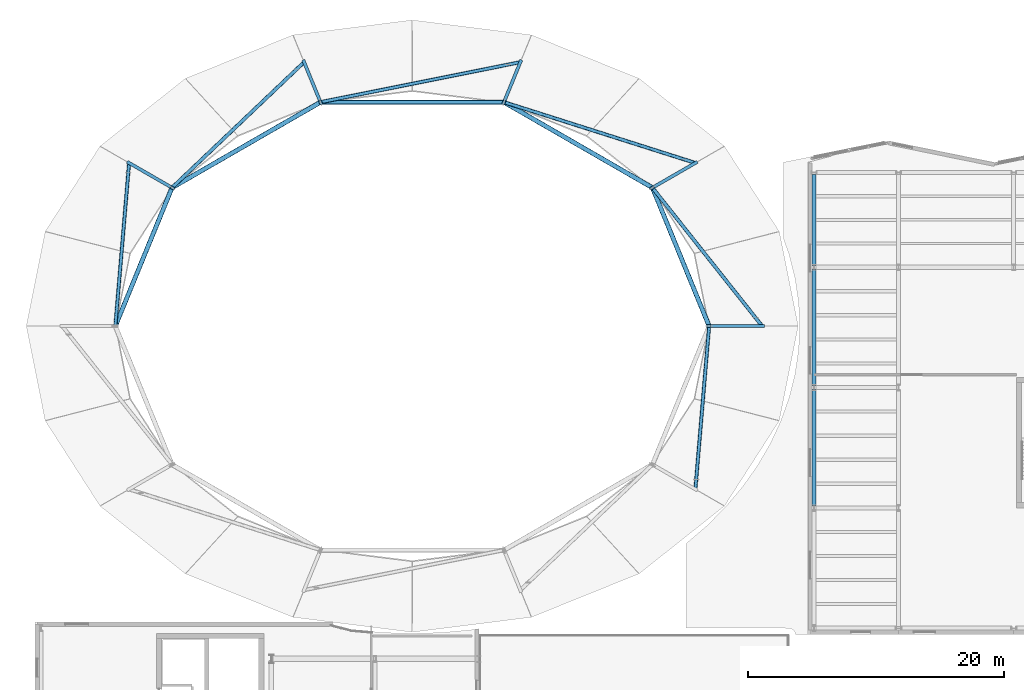
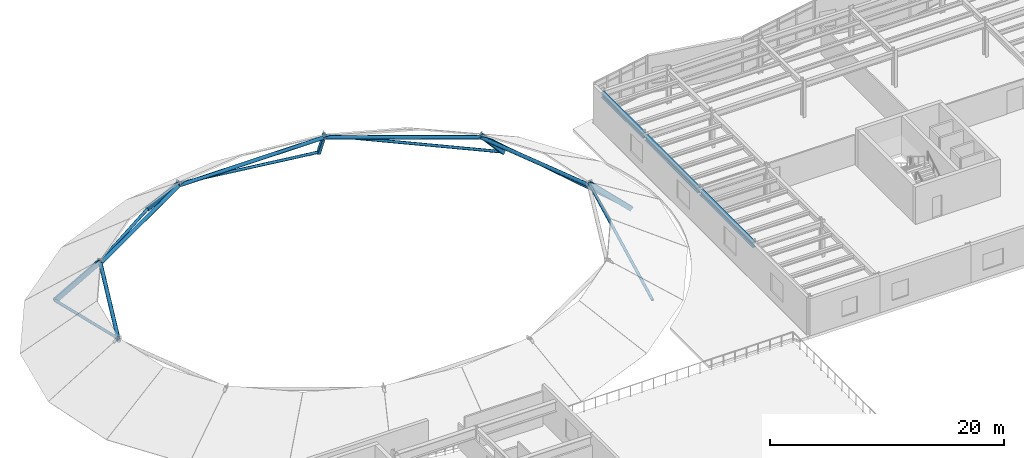
# One storey, part 15 of 59: 16 members, 3 beams.
"""IFC4 building model written with IfcOpenShell, lengths in metres."""

from ifc_helpers import new_model, si_unit, direction, frame, origin, origin_2d, place, context, subcontext, project, spatial, hollow_rectangle, hollow_circle, i_section, extrude, material, material_profile, profile_set, type_object, element, save


model = new_model("IFC4")

# Units and contexts
model_context = context("Model", 3, precision=1e-05, world=origin(), true_north=direction((0.0, 1.0)))
body_context = subcontext(model_context, "Body", "Model", "MODEL_VIEW")
ifc_project = project(units=[si_unit("LENGTHUNIT", "METRE"), si_unit("AREAUNIT", "SQUARE_METRE"), si_unit("VOLUMEUNIT", "CUBIC_METRE"), si_unit("PLANEANGLEUNIT", "RADIAN"), si_unit("MASSUNIT", "GRAM", prefix="KILO")], contexts=[model_context])

# Site, building, storey
site_placement = place(None, origin())
site = spatial("IfcSite", under=ifc_project, at=site_placement, CompositionType="ELEMENT")
building_placement = place(site_placement, origin())
building = spatial("IfcBuilding", under=site, at=building_placement, Name="Sollismere Congress Hotel", CompositionType="ELEMENT")
storey_placement = place(building_placement, frame((0.0, 0.0, 15.60009765625)))
storey = spatial("IfcBuildingStorey", under=building, at=storey_placement, Name="L03", CompositionType="ELEMENT", Elevation=15.60009765625)

# Beams
ifc_material_1 = material(Name="Steel ASTM A992 Grade 50", Category="steel")
ifc_material_profile_1 = material_profile(ifc_material_1, i_section(OverallWidth=0.31494140625, OverallDepth=0.551025390625, WebThickness=0.01513671875, FlangeThickness=0.0244140625, at=origin_2d()), Name="W21X122")
ifc_profile_set_1 = profile_set([ifc_material_profile_1], Name="Steel ASTM A992 Grade 50")
beam_type = type_object("IfcBeamType", Name="BM-G21H", PredefinedType="BEAM", material=ifc_profile_set_1)
beam_1_placement = place(storey_placement, frame((60.39990234375, 76.340087890625, 3.349365234375), z_axis=(0.0, 1.0, 0.0), x_axis=(-1.0, 0.0, 0.0)))
element("IfcBeam", 1, at=beam_1_placement, inside=storey, type_object=beam_type, Name="Beam BM-L03-2424", PredefinedType="BEAM", context=body_context, shape_type="SweptSolid", body=[
    extrude(i_section(OverallWidth=0.31494140625, OverallDepth=0.551025390625, WebThickness=0.01513671875, FlangeThickness=0.0244140625, at=origin_2d()), origin(), (0.0, 0.0, 1.0), 9.119873046875),
])
beam_2_placement = place(storey_placement, frame((60.39990234375, 85.739990234375, 3.349365234375), z_axis=(0.0, 1.0, 0.0), x_axis=(-1.0, 0.0, 0.0)))
element("IfcBeam", 2, at=beam_2_placement, inside=storey, type_object=beam_type, Name="Beam BM-L03-2425", PredefinedType="BEAM", context=body_context, shape_type="SweptSolid", body=[
    extrude(i_section(OverallWidth=0.31494140625, OverallDepth=0.551025390625, WebThickness=0.01513671875, FlangeThickness=0.0244140625, at=origin_2d()), origin(), (0.0, 0.0, 1.0), 9.1201171875),
])
beam_3_placement = place(storey_placement, frame((60.39990234375, 95.139892578125, 3.349365234375), z_axis=(0.0, 1.0, 0.0), x_axis=(-1.0, 0.0, 0.0)))
element("IfcBeam", 3, at=beam_3_placement, inside=storey, type_object=beam_type, Name="Beam BM-L03-2426", PredefinedType="BEAM", context=body_context, shape_type="SweptSolid", body=[
    extrude(i_section(OverallWidth=0.31494140625, OverallDepth=0.551025390625, WebThickness=0.01513671875, FlangeThickness=0.0244140625, at=origin_2d()), origin(), (0.0, 0.0, 1.0), 7.1201171875),
])

# Members
ifc_material_2 = material(Name="Steel ASTM A500 Grade C", Category="steel")
ifc_material_profile_2 = material_profile(ifc_material_2, hollow_rectangle(XDim=0.25, YDim=0.449951171875, WallThickness=0.01611328125, at=origin_2d()), Name="HSS450X250X16")
ifc_profile_set_2 = profile_set([ifc_material_profile_2], Name="Steel ASTM A500 Grade C")
member_type_1 = type_object("IfcMemberType", Name="MB-AR450", PredefinedType="COLLAR", material=ifc_profile_set_2)
member_1_placement = place(storey_placement, frame((56.361083984375, 90.39990234375, 0.005859375), z_axis=(-0.711128730014, 0.0, 0.703061824699), x_axis=(0.0, -1.0, 0.0)))
element("IfcMember", 4, at=member_1_placement, inside=storey, type_object=member_type_1, Name="DR-011 arch rib", PredefinedType="COLLAR", context=body_context, shape_type="SweptSolid", body=[
    extrude(hollow_rectangle(XDim=0.25, YDim=0.449951171875, WallThickness=0.01611328125, at=origin_2d()), origin(), (0.0, 0.0, 1.0), 5.901611328125),
])
member_2_placement = place(storey_placement, frame((51.135986328125, 103.1552734375, 0.00537109375), z_axis=(-0.594897228339, -0.342818507734, 0.727030094611), x_axis=(0.499294661733, -0.866432248226, 0.0)))
element("IfcMember", 5, at=member_2_placement, inside=storey, type_object=member_type_1, Name="DR-021 arch rib", PredefinedType="COLLAR", context=body_context, shape_type="SweptSolid", body=[
    extrude(hollow_rectangle(XDim=0.25, YDim=0.449951171875, WallThickness=0.01611328125, at=origin_2d()), origin(), (0.0, 0.0, 1.0), 5.70947265625),
])
for number, where, z_axis, x_axis, name in (
    (6, (37.45556640625, 111.039306640625, 0.00439453125), (-0.241198236619, -0.588643412211, 0.77157134726), (0.925332199791, -0.379157381611, 0.0), "DR-031 arch rib"),
    (7, (20.54443359375, 111.039306640625, 0.00439453125), (0.241198236619, -0.588643412211, 0.77157134726), (0.925332199791, 0.379157381611, 0.0), "DR-041 arch rib"),
):
    element("IfcMember", number, at=place(storey_placement, frame(where, z_axis=z_axis, x_axis=x_axis)), inside=storey, type_object=member_type_1, Name=name, PredefinedType="COLLAR", context=body_context, shape_type="SweptSolid", body=[
        extrude(hollow_rectangle(XDim=0.25, YDim=0.449951171875, WallThickness=0.01611328125, at=origin_2d()), origin(), (0.0, 0.0, 1.0), 5.3837890625),
    ])
member_3_placement = place(storey_placement, frame((6.864013671875, 103.1552734375, 0.00537109375), z_axis=(0.594897228339, -0.342818507734, 0.727030094611), x_axis=(0.499294661733, 0.866432248226, 0.0)))
element("IfcMember", 8, at=member_3_placement, inside=storey, type_object=member_type_1, Name="DR-051 arch rib", PredefinedType="COLLAR", context=body_context, shape_type="SweptSolid", body=[
    extrude(hollow_rectangle(XDim=0.25, YDim=0.449951171875, WallThickness=0.01611328125, at=origin_2d()), origin(), (0.0, 0.0, 1.0), 5.70947265625),
])
ifc_material_profile_3 = material_profile(ifc_material_2, hollow_circle(Radius=0.136474609375, WallThickness=0.010009765625, at=origin_2d()), Name="CHS273X10")
ifc_profile_set_3 = profile_set([ifc_material_profile_3], Name="Steel ASTM A500 Grade C")
member_type_2 = type_object("IfcMemberType", Name="MB-BR273", PredefinedType="BRACE", material=ifc_profile_set_3)
member_4_placement = place(storey_placement, frame((56.346923828125, 90.39990234375, 0.02001953125), z_axis=(-0.595671845267, 0.751074820553, 0.28471330613), x_axis=(-0.783501835991, -0.621389469655, 0.0)))
element("IfcMember", 9, at=member_4_placement, inside=storey, type_object=member_type_2, Name="DB-101 diagonal brace", PredefinedType="BRACE", context=body_context, shape_type="SweptSolid", body=[
    extrude(hollow_circle(Radius=0.136474609375, WallThickness=0.010009765625, at=origin_2d()), origin(), (0.0, 0.0, 1.0), 14.39990234375),
])
member_5_placement = place(storey_placement, frame((51.124267578125, 103.1484375, 0.02001953125), z_axis=(-0.922108374663, 0.29293830761, 0.252791007178), x_axis=(-0.302772069628, -0.953062995742, 0.0)))
element("IfcMember", 10, at=member_5_placement, inside=storey, type_object=member_type_2, Name="DB-102 diagonal brace", PredefinedType="BRACE", context=body_context, shape_type="SweptSolid", body=[
    extrude(hollow_circle(Radius=0.136474609375, WallThickness=0.010009765625, at=origin_2d()), origin(), (0.0, 0.0, 1.0), 16.21826171875),
])
member_6_placement = place(storey_placement, frame((37.45068359375, 111.02734375, 0.02001953125), z_axis=(-0.94958780643, -0.190158004595, 0.249244721446), x_axis=(0.196354858996, -0.980532900697, 0.0)))
element("IfcMember", 11, at=member_6_placement, inside=storey, type_object=member_type_2, Name="DB-103 diagonal brace", PredefinedType="BRACE", context=body_context, shape_type="SweptSolid", body=[
    extrude(hollow_circle(Radius=0.136474609375, WallThickness=0.010009765625, at=origin_2d()), origin(), (0.0, 0.0, 1.0), 16.44921875),
])
member_7_placement = place(storey_placement, frame((20.54931640625, 111.02734375, 0.02001953125), z_axis=(-0.696380081371, -0.662191304159, 0.276690185886), x_axis=(0.689094104711, -0.724671867022, 0.0)))
element("IfcMember", 12, at=member_7_placement, inside=storey, type_object=member_type_2, Name="DB-104 diagonal brace", PredefinedType="BRACE", context=body_context, shape_type="SweptSolid", body=[
    extrude(hollow_circle(Radius=0.136474609375, WallThickness=0.010009765625, at=origin_2d()), origin(), (0.0, 0.0, 1.0), 14.8173828125),
])
member_8_placement = place(storey_placement, frame((6.875732421875, 103.1484375, 0.02001953125), z_axis=(-0.080067582868, -0.948926246527, 0.305169069247), x_axis=(0.996459153576, -0.084078268617, 0.0)))
element("IfcMember", 13, at=member_8_placement, inside=storey, type_object=member_type_2, Name="DB-105 diagonal brace", PredefinedType="BRACE", context=body_context, shape_type="SweptSolid", body=[
    extrude(hollow_circle(Radius=0.136474609375, WallThickness=0.010009765625, at=origin_2d()), origin(), (0.0, 0.0, 1.0), 13.434814453125),
])
member_9_placement = place(storey_placement, frame((51.124267578125, 77.651611328125, 0.02001953125), z_axis=(0.080068963597, 0.948924437619, 0.305174331749), x_axis=(-0.996459018674, 0.084079867405, 0.0)))
element("IfcMember", 14, at=member_9_placement, inside=storey, type_object=member_type_2, Name="DB-110 diagonal brace", PredefinedType="BRACE", context=body_context, shape_type="SweptSolid", body=[
    extrude(hollow_circle(Radius=0.136474609375, WallThickness=0.010009765625, at=origin_2d()), origin(), (0.0, 0.0, 1.0), 13.4345703125),
])
ifc_material_profile_4 = material_profile(ifc_material_2, hollow_circle(Radius=0.177978515625, WallThickness=0.011962890625, at=origin_2d()), Name="CHS356X12")
ifc_profile_set_4 = profile_set([ifc_material_profile_4], Name="Steel ASTM A500 Grade C")
member_type_3 = type_object("IfcMemberType", Name="MB-PR356", PredefinedType="PURLIN", material=ifc_profile_set_4)
member_10_placement = place(storey_placement, frame((52.199951171875, 90.39990234375, 3.89990234375), z_axis=(-0.379085027938, 0.925361843601, 0.0), x_axis=(-0.925361843601, -0.379085027938, 0.0)))
element("IfcMember", 15, at=member_10_placement, inside=storey, type_object=member_type_3, Name="DP-101 dome purlin", PredefinedType="PURLIN", context=body_context, shape_type="SweptSolid", body=[
    extrude(hollow_circle(Radius=0.177978515625, WallThickness=0.011962890625, at=origin_2d()), origin(), (0.0, 0.0, 1.0), 11.687744140625),
])
member_11_placement = place(storey_placement, frame((47.769287109375, 101.21533203125, 3.89990234375), z_axis=(-0.866453229645, 0.499258250646, 0.0), x_axis=(-0.499258250646, -0.866453229645, 0.0)))
element("IfcMember", 16, at=member_11_placement, inside=storey, type_object=member_type_3, Name="DP-102 dome purlin", PredefinedType="PURLIN", context=body_context, shape_type="SweptSolid", body=[
    extrude(hollow_circle(Radius=0.177978515625, WallThickness=0.011962890625, at=origin_2d()), origin(), (0.0, 0.0, 1.0), 13.387939453125),
])
member_12_placement = place(storey_placement, frame((36.169189453125, 107.8994140625, 3.89990234375), z_axis=(-1.0, 0.0, 0.0), x_axis=(0.0, -1.0, 0.0)))
element("IfcMember", 17, at=member_12_placement, inside=storey, type_object=member_type_3, Name="DP-103 dome purlin", PredefinedType="PURLIN", context=body_context, shape_type="SweptSolid", body=[
    extrude(hollow_circle(Radius=0.177978515625, WallThickness=0.011962890625, at=origin_2d()), origin(), (0.0, 0.0, 1.0), 14.33837890625),
])
member_13_placement = place(storey_placement, frame((21.830810546875, 107.8994140625, 3.89990234375), z_axis=(-0.866453229645, -0.499258250646, 0.0), x_axis=(0.499258250646, -0.866453229645, 0.0)))
element("IfcMember", 18, at=member_13_placement, inside=storey, type_object=member_type_3, Name="DP-104 dome purlin", PredefinedType="PURLIN", context=body_context, shape_type="SweptSolid", body=[
    extrude(hollow_circle(Radius=0.177978515625, WallThickness=0.011962890625, at=origin_2d()), origin(), (0.0, 0.0, 1.0), 13.387939453125),
])
member_14_placement = place(storey_placement, frame((10.230712890625, 101.21533203125, 3.89990234375), z_axis=(-0.379085027938, -0.925361843601, 0.0), x_axis=(0.925361843601, -0.379085027938, 0.0)))
element("IfcMember", 19, at=member_14_placement, inside=storey, type_object=member_type_3, Name="DP-105 dome purlin", PredefinedType="PURLIN", context=body_context, shape_type="SweptSolid", body=[
    extrude(hollow_circle(Radius=0.177978515625, WallThickness=0.011962890625, at=origin_2d()), origin(), (0.0, 0.0, 1.0), 11.687744140625),
])

save(model, "model.ifc")
